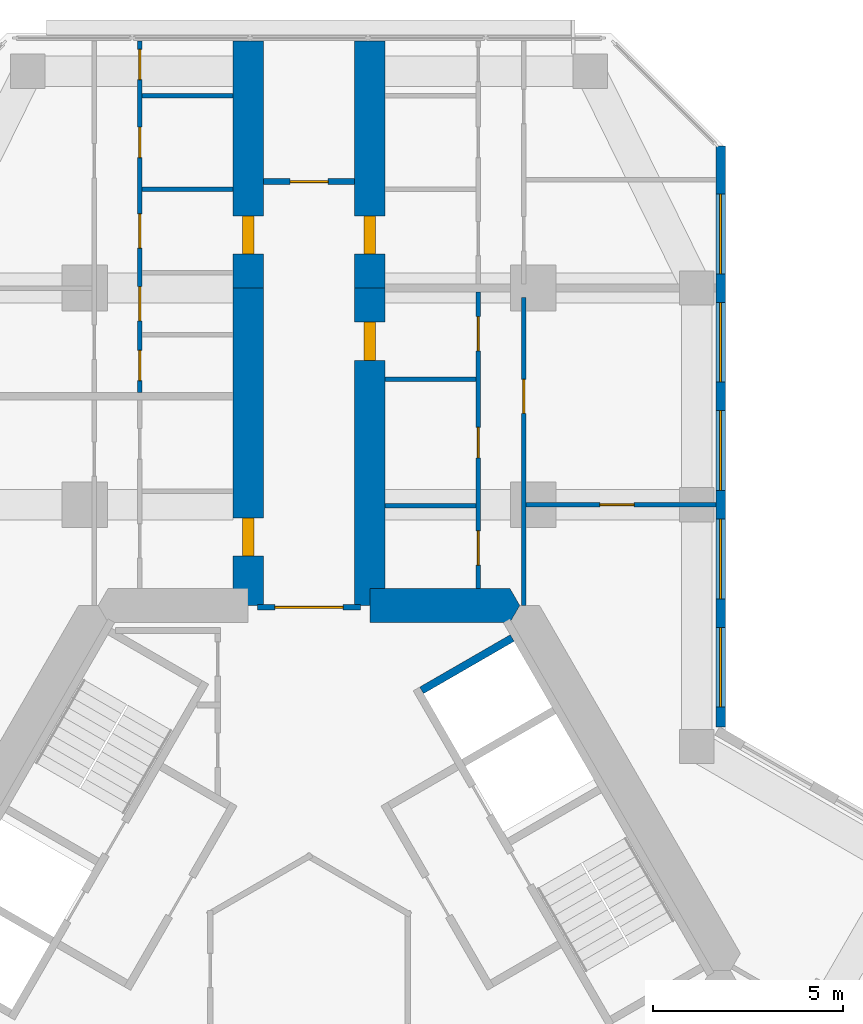
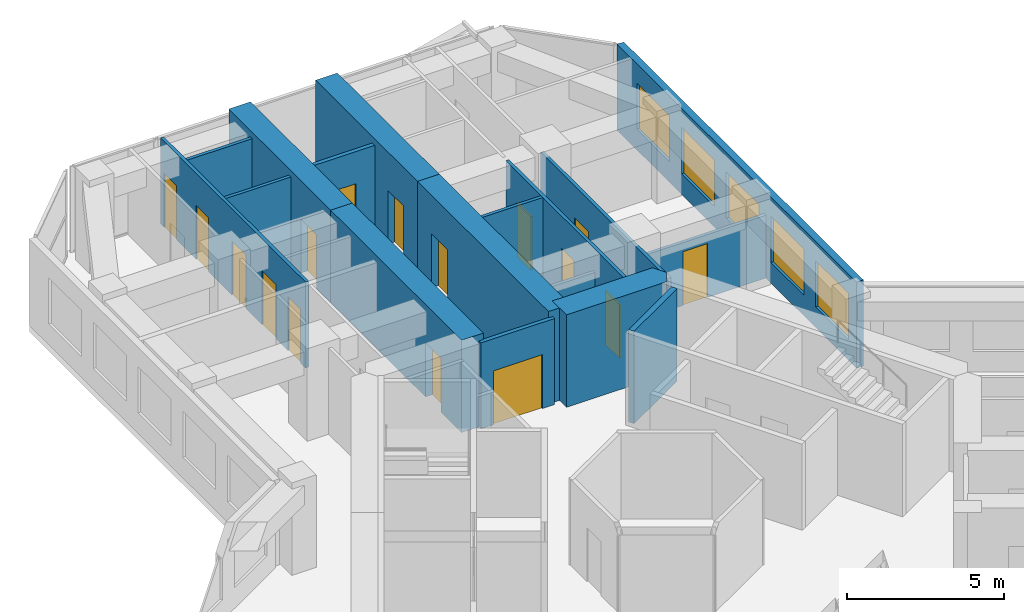
# One storey, part 17 of 19: 17 walls, 16 doors, 5 windows, 21 openings.
"""IFC4 building model written with IfcOpenShell, lengths in metres."""

from ifc_helpers import new_model, si_unit, direction, frame, frame_2d, origin, place, context, subcontext, project, spatial, polyline, rectangle, outline, extrude, material, layer, layer_set, type_object, element, fill, save


model = new_model("IFC4")

# Units and contexts
model_context = context("Model", 3, precision=1e-05, world=origin(), true_north=direction((0.0, 1.0)))
body_context = subcontext(model_context, "Body", "Model", "MODEL_VIEW")
ifc_project = project(units=[si_unit("LENGTHUNIT", "METRE"), si_unit("AREAUNIT", "SQUARE_METRE"), si_unit("VOLUMEUNIT", "CUBIC_METRE"), si_unit("PLANEANGLEUNIT", "RADIAN"), si_unit("MASSUNIT", "GRAM", prefix="KILO")], contexts=[model_context])

# Site, building, storey
site_placement = place(None, origin())
site = spatial("IfcSite", under=ifc_project, at=site_placement, CompositionType="ELEMENT")
building_placement = place(site_placement, origin())
building = spatial("IfcBuilding", under=site, at=building_placement, Name="Kosmar Iwan School Tower", CompositionType="ELEMENT")
storey_placement = place(building_placement, frame((0.0, 0.0, 134.60009765625)))
storey = spatial("IfcBuildingStorey", under=building, at=storey_placement, Name="L33", CompositionType="ELEMENT", Elevation=134.60009765625)

# Wall
ifc_material_1 = material(Name="Concrete C50/60", Category="concrete")
ifc_layer_1 = layer(ifc_material_1, 0.89990234375)
ifc_layer_set_1 = layer_set([ifc_layer_1], Name="Core wall 900")
wall_type_1 = type_object("IfcWallType", Name="Core wall 900", PredefinedType="SHEAR", material=ifc_layer_set_1)
wall_1_placement = place(storey_placement, origin())
element("IfcWall", 1, at=wall_1_placement, inside=storey, type_object=wall_type_1, Name="Core wall F090a", PredefinedType="SHEAR", context=body_context, shape_type="SweptSolid", body=[
    extrude(outline(polyline([(1.60009765625, 9.14990234375), (5.28271484375, 9.14990234375), (5.54248046875, 9.60009765625), (5.28271484375, 10.050048828125), (1.60009765625, 10.050048828125), (1.60009765625, 9.14990234375)])), origin(), (0.0, 0.0, 1.0), 3.599853515625),
])

# Wall, opening, door
ifc_material_2 = material(Name="Concrete C50/60", Category="concrete")
ifc_layer_2 = layer(ifc_material_2, 0.800048828125)
ifc_layer_set_2 = layer_set([ifc_layer_2], Name="Corridor buttress wall 800")
wall_type_2 = type_object("IfcWallType", Name="Corridor buttress wall 800", PredefinedType="SHEAR", material=ifc_layer_set_2)
wall_2_placement = place(storey_placement, frame((-1.60009765625, 9.60009765625, 0.0), z_axis=(0.0, 0.0, 1.0), x_axis=(0.0, 1.0, 0.0)))
wall_2 = element("IfcWall", 2, at=wall_2_placement, inside=storey, type_object=wall_type_2, Name="Corridor wall AL", PredefinedType="SHEAR", context=body_context, shape_type="SweptSolid", body=[
    extrude(rectangle(XDim=8.349853515625, YDim=0.800048828125, at=frame_2d((4.1748046875, 0.0))), origin(), (0.0, 0.0, 1.0), 3.599853515625),
])
opening_1_placement = place(wall_2_placement, frame((1.300048828125, 0.0, 0.0)))
opening_1 = element("IfcOpeningElement", 3, at=opening_1_placement, cuts=wall_2, Name="Opening D1", PredefinedType="OPENING", context=body_context, shape_type="SweptSolid", body=[
    extrude(rectangle(XDim=1.0, YDim=2.10009765625, at=frame_2d((0.5, 1.050048828125))), frame((0.0, 0.412109375, 0.0), z_axis=(0.0, -1.0, 0.0), x_axis=(1.0, 0.0, 0.0)), (0.0, 0.0, 1.0), 0.823974609375),
])
ifc_material_3 = material(Name="Timber fire door in steel frame", Category="steel")
door_type_1 = type_object("IfcDoorType", Name="Flat entrance door 1000x2100", OperationType="SINGLE_SWING_LEFT", PredefinedType="DOOR", material=ifc_material_3)
door_1_placement = place(opening_1_placement, origin())
door_1 = element("IfcDoor", 4, at=door_1_placement, inside=storey, type_object=door_type_1, Name="Flat L33-AL1 entrance door", OperationType="SINGLE_SWING_RIGHT", OverallHeight=2.10009765625, OverallWidth=1.0, PredefinedType="DOOR", context=body_context, shape_type="SweptSolid", body=[
    extrude(rectangle(XDim=1.0, YDim=2.10009765625, at=frame_2d((0.5, 1.050048828125))), frame((0.0, 0.14990234375, 0.0), z_axis=(0.0, -1.0, 0.0), x_axis=(1.0, 0.0, 0.0)), (0.0, 0.0, 1.0), 0.300048828125),
])
fill(opening_1, door_1)

wall_3_placement = place(storey_placement, frame((-1.60009765625, 17.949951171875, 0.0), z_axis=(0.0, 0.0, 1.0), x_axis=(0.0, 1.0, 0.0)))
wall_3 = element("IfcWall", 5, at=wall_3_placement, inside=storey, type_object=wall_type_2, Name="Corridor wall AL bay 2", PredefinedType="SHEAR", context=body_context, shape_type="SweptSolid", body=[
    extrude(rectangle(XDim=6.4951171875, YDim=0.800048828125, at=frame_2d((3.24755859375, 0.0))), origin(), (0.0, 0.0, 1.0), 3.599853515625),
])
opening_2_placement = place(wall_3_placement, frame((0.89990234375, 0.0, 0.0)))
opening_2 = element("IfcOpeningElement", 6, at=opening_2_placement, cuts=wall_3, Name="Opening D1", PredefinedType="OPENING", context=body_context, shape_type="SweptSolid", body=[
    extrude(rectangle(XDim=1.0, YDim=2.10009765625, at=frame_2d((0.5, 1.050048828125))), frame((0.0, 0.412109375, 0.0), z_axis=(0.0, -1.0, 0.0), x_axis=(1.0, 0.0, 0.0)), (0.0, 0.0, 1.0), 0.823974609375),
])
door_2_placement = place(opening_2_placement, origin())
door_2 = element("IfcDoor", 7, at=door_2_placement, inside=storey, type_object=door_type_1, Name="Flat L33-AL2 entrance door", OperationType="SINGLE_SWING_LEFT", OverallHeight=2.10009765625, OverallWidth=1.0, PredefinedType="DOOR", context=body_context, shape_type="SweptSolid", body=[
    extrude(rectangle(XDim=1.0, YDim=2.10009765625, at=frame_2d((0.5, 1.050048828125))), frame((0.0, 0.14990234375, 0.0), z_axis=(0.0, -1.0, 0.0), x_axis=(1.0, 0.0, 0.0)), (0.0, 0.0, 1.0), 0.300048828125),
])
fill(opening_2, door_2)

wall_4_placement = place(storey_placement, frame((1.60009765625, 9.60009765625, 0.0), z_axis=(0.0, 0.0, 1.0), x_axis=(0.0, 1.0, 0.0)))
wall_4 = element("IfcWall", 8, at=wall_4_placement, inside=storey, type_object=wall_type_2, Name="Corridor wall AR", PredefinedType="SHEAR", context=body_context, shape_type="SweptSolid", body=[
    extrude(rectangle(XDim=8.349853515625, YDim=0.800048828125, at=frame_2d((4.1748046875, 0.0))), origin(), (0.0, 0.0, 1.0), 3.599853515625),
])
opening_3_placement = place(wall_4_placement, frame((6.449951171875, 0.0, 0.0)))
opening_3 = element("IfcOpeningElement", 9, at=opening_3_placement, cuts=wall_4, Name="Opening D1", PredefinedType="OPENING", context=body_context, shape_type="SweptSolid", body=[
    extrude(rectangle(XDim=1.0, YDim=2.10009765625, at=frame_2d((0.5, 1.050048828125))), frame((0.0, 0.412109375, 0.0), z_axis=(0.0, -1.0, 0.0), x_axis=(1.0, 0.0, 0.0)), (0.0, 0.0, 1.0), 0.823974609375),
])
door_3_placement = place(opening_3_placement, origin())
door_3 = element("IfcDoor", 10, at=door_3_placement, inside=storey, type_object=door_type_1, Name="Flat L33-AR1 entrance door", OperationType="SINGLE_SWING_RIGHT", OverallHeight=2.10009765625, OverallWidth=1.0, PredefinedType="DOOR", context=body_context, shape_type="SweptSolid", body=[
    extrude(rectangle(XDim=1.0, YDim=2.10009765625, at=frame_2d((0.5, 1.050048828125))), frame((0.0, 0.14990234375, 0.0), z_axis=(0.0, -1.0, 0.0), x_axis=(1.0, 0.0, 0.0)), (0.0, 0.0, 1.0), 0.300048828125),
])
fill(opening_3, door_3)

wall_5_placement = place(storey_placement, frame((1.60009765625, 17.949951171875, 0.0), z_axis=(0.0, 0.0, 1.0), x_axis=(0.0, 1.0, 0.0)))
wall_5 = element("IfcWall", 11, at=wall_5_placement, inside=storey, type_object=wall_type_2, Name="Corridor wall AR bay 2", PredefinedType="SHEAR", context=body_context, shape_type="SweptSolid", body=[
    extrude(rectangle(XDim=6.4951171875, YDim=0.800048828125, at=frame_2d((3.24755859375, 0.0))), origin(), (0.0, 0.0, 1.0), 3.599853515625),
])
opening_4_placement = place(wall_5_placement, frame((0.89990234375, 0.0, 0.0)))
opening_4 = element("IfcOpeningElement", 12, at=opening_4_placement, cuts=wall_5, Name="Opening D1", PredefinedType="OPENING", context=body_context, shape_type="SweptSolid", body=[
    extrude(rectangle(XDim=1.0, YDim=2.10009765625, at=frame_2d((0.5, 1.050048828125))), frame((0.0, 0.412109375, 0.0), z_axis=(0.0, -1.0, 0.0), x_axis=(1.0, 0.0, 0.0)), (0.0, 0.0, 1.0), 0.823974609375),
])
door_4_placement = place(opening_4_placement, origin())
door_4 = element("IfcDoor", 13, at=door_4_placement, inside=storey, type_object=door_type_1, Name="Flat L33-AR2 entrance door", OperationType="SINGLE_SWING_RIGHT", OverallHeight=2.10009765625, OverallWidth=1.0, PredefinedType="DOOR", context=body_context, shape_type="SweptSolid", body=[
    extrude(rectangle(XDim=1.0, YDim=2.10009765625, at=frame_2d((0.5, 1.050048828125))), frame((0.0, 0.14990234375, 0.0), z_axis=(0.0, -1.0, 0.0), x_axis=(1.0, 0.0, 0.0)), (0.0, 0.0, 1.0), 0.300048828125),
])
fill(opening_4, door_4)

ifc_material_4 = material(Name="Gypsum board on steel studs, fire-rated", Category="steel")
ifc_layer_3 = layer(ifc_material_4, 0.14990234375)
ifc_layer_set_3 = layer_set([ifc_layer_3], Name="Corridor end wall 150")
wall_type_3 = type_object("IfcWallType", Name="Corridor end wall 150", PredefinedType="PARTITIONING", material=ifc_layer_set_3)
wall_6_placement = place(storey_placement, frame((1.199951171875, 20.75, 0.0), z_axis=(0.0, 0.0, 1.0), x_axis=(-1.0, 0.0, 0.0)))
wall_6 = element("IfcWall", 14, at=wall_6_placement, inside=storey, type_object=wall_type_3, Name="Partition L33-A-CE", PredefinedType="PARTITIONING", context=body_context, shape_type="SweptSolid", body=[
    extrude(rectangle(XDim=2.39990234375, YDim=0.14990234375, at=frame_2d((1.199951171875, 0.0))), origin(), (0.0, 0.0, 1.0), 3.349853515625),
])
opening_5_placement = place(wall_6_placement, frame((0.699951171875, 0.0, 0.0)))
opening_5 = element("IfcOpeningElement", 15, at=opening_5_placement, cuts=wall_6, Name="Opening D13", PredefinedType="OPENING", context=body_context, shape_type="SweptSolid", body=[
    extrude(rectangle(XDim=1.0, YDim=2.10009765625, at=frame_2d((0.5, 1.050048828125))), frame((0.0, 0.0869140625, 0.0), z_axis=(0.0, -1.0, 0.0), x_axis=(1.0, 0.0, 0.0)), (0.0, 0.0, 1.0), 0.173828125),
])
ifc_material_5 = material(Name="Timber fire door with vision panel", Category="wood")
door_type_2 = type_object("IfcDoorType", Name="Corridor end door 1000x2100", OperationType="SINGLE_SWING_LEFT", PredefinedType="DOOR", material=ifc_material_5)
door_5_placement = place(opening_5_placement, origin())
door_5 = element("IfcDoor", 16, at=door_5_placement, inside=storey, type_object=door_type_2, Name="Prayer room door L33-A", OperationType="SINGLE_SWING_RIGHT", OverallHeight=2.10009765625, OverallWidth=1.0, PredefinedType="DOOR", context=body_context, shape_type="SweptSolid", body=[
    extrude(rectangle(XDim=1.0, YDim=2.10009765625, at=frame_2d((0.5, 1.050048828125))), frame((0.0, 0.02490234375, 0.0), z_axis=(0.0, -1.0, 0.0), x_axis=(1.0, 0.0, 0.0)), (0.0, 0.0, 1.0), 0.050048828125),
])
fill(opening_5, door_5)

ifc_material_6 = material(Name="Steel framed glazed screen", Category="steel")
ifc_layer_4 = layer(ifc_material_6, 0.14990234375)
ifc_layer_set_4 = layer_set([ifc_layer_4], Name="Corridor screen wall 150")
wall_type_4 = type_object("IfcWallType", Name="Corridor screen wall 150", PredefinedType="PARTITIONING", material=ifc_layer_set_4)
wall_7_placement = place(storey_placement, frame((1.35009765625, 9.550048828125, 0.0), z_axis=(0.0, 0.0, 1.0), x_axis=(-1.0, 0.0, 0.0)))
wall_7 = element("IfcWall", 17, at=wall_7_placement, inside=storey, type_object=wall_type_4, Name="Corridor screen A L33", PredefinedType="PARTITIONING", context=body_context, shape_type="SweptSolid", body=[
    extrude(rectangle(XDim=2.7001953125, YDim=0.14990234375, at=frame_2d((1.35009765625, 0.0))), origin(), (0.0, 0.0, 1.0), 3.349853515625),
])
opening_6_placement = place(wall_7_placement, frame((0.449951171875, 0.0, 0.0)))
opening_6 = element("IfcOpeningElement", 18, at=opening_6_placement, cuts=wall_7, Name="Opening D9", PredefinedType="OPENING", context=body_context, shape_type="SweptSolid", body=[
    extrude(rectangle(XDim=1.800048828125, YDim=2.10009765625, at=frame_2d((0.89990234375, 1.050048828125))), frame((0.0, 0.0869140625, 0.0), z_axis=(0.0, -1.0, 0.0), x_axis=(1.0, 0.0, 0.0)), (0.0, 0.0, 1.0), 0.173828125),
])
ifc_material_7 = material(Name="Steel framed glazed smoke door", Category="steel")
door_type_3 = type_object("IfcDoorType", Name="Corridor smoke door pair 1800x2100", OperationType="DOUBLE_DOOR_DOUBLE_SWING", PredefinedType="DOOR", material=ifc_material_7)
door_6_placement = place(opening_6_placement, origin())
door_6 = element("IfcDoor", 19, at=door_6_placement, inside=storey, type_object=door_type_3, Name="Corridor doors A L33", OperationType="DOUBLE_DOOR_DOUBLE_SWING", OverallHeight=2.10009765625, OverallWidth=1.800048828125, PredefinedType="DOOR", context=body_context, shape_type="SweptSolid", body=[
    extrude(rectangle(XDim=1.800048828125, YDim=2.10009765625, at=frame_2d((0.89990234375, 1.050048828125))), frame((0.0, 0.02490234375, 0.0), z_axis=(0.0, -1.0, 0.0), x_axis=(1.0, 0.0, 0.0)), (0.0, 0.0, 1.0), 0.050048828125),
])
fill(opening_6, door_6)

# Wall, openings, doors
ifc_material_8 = material(Name="Gypsum board on steel studs", Category="steel")
ifc_layer_5 = layer(ifc_material_8, 0.1201171875)
ifc_layer_set_5 = layer_set([ifc_layer_5], Name="Dwelling partition 120")
wall_type_5 = type_object("IfcWallType", Name="Dwelling partition 120", PredefinedType="PARTITIONING", material=ifc_layer_set_5)
wall_8_placement = place(storey_placement, frame((-4.449951171875, 15.199951171875, 0.0), z_axis=(0.0, 0.0, 1.0), x_axis=(0.0, 1.0, 0.0)))
wall_8 = element("IfcWall", 20, at=wall_8_placement, inside=storey, type_object=wall_type_5, Name="Partition L33-AL2-W1", PredefinedType="PARTITIONING", context=body_context, shape_type="SweptSolid", body=[
    extrude(rectangle(XDim=9.2451171875, YDim=0.1201171875, at=frame_2d((4.62255859375, 0.0))), origin(), (0.0, 0.0, 1.0), 3.349853515625),
])
opening_7_placement = place(wall_8_placement, frame((0.3125, 0.0, 0.0)))
opening_7 = element("IfcOpeningElement", 21, at=opening_7_placement, cuts=wall_8, Name="Opening D3", PredefinedType="OPENING", context=body_context, shape_type="SweptSolid", body=[
    extrude(rectangle(XDim=0.800048828125, YDim=2.10009765625, at=frame_2d((0.39990234375, 1.050048828125))), frame((0.0, 0.072021484375, 0.0), z_axis=(0.0, -1.0, 0.0), x_axis=(1.0, 0.0, 0.0)), (0.0, 0.0, 1.0), 0.14404296875),
])
opening_8_placement = place(wall_8_placement, frame((1.887451171875, 0.0, 0.0)))
opening_8 = element("IfcOpeningElement", 22, at=opening_8_placement, cuts=wall_8, Name="Opening D2", PredefinedType="OPENING", context=body_context, shape_type="SweptSolid", body=[
    extrude(rectangle(XDim=0.89990234375, YDim=2.10009765625, at=frame_2d((0.449951171875, 1.050048828125))), frame((0.0, 0.072021484375, 0.0), z_axis=(0.0, -1.0, 0.0), x_axis=(1.0, 0.0, 0.0)), (0.0, 0.0, 1.0), 0.14404296875),
])
opening_9_placement = place(wall_8_placement, frame((3.800048828125, 0.0, 0.0)))
opening_9 = element("IfcOpeningElement", 23, at=opening_9_placement, cuts=wall_8, Name="Opening D2", PredefinedType="OPENING", context=body_context, shape_type="SweptSolid", body=[
    extrude(rectangle(XDim=0.89990234375, YDim=2.10009765625, at=frame_2d((0.449951171875, 1.050048828125))), frame((0.0, 0.072021484375, 0.0), z_axis=(0.0, -1.0, 0.0), x_axis=(1.0, 0.0, 0.0)), (0.0, 0.0, 1.0), 0.14404296875),
])
opening_10_placement = place(wall_8_placement, frame((6.179931640625, 0.0, 0.0)))
opening_10 = element("IfcOpeningElement", 24, at=opening_10_placement, cuts=wall_8, Name="Opening D3", PredefinedType="OPENING", context=body_context, shape_type="SweptSolid", body=[
    extrude(rectangle(XDim=0.800048828125, YDim=2.10009765625, at=frame_2d((0.39990234375, 1.050048828125))), frame((0.0, 0.072021484375, 0.0), z_axis=(0.0, -1.0, 0.0), x_axis=(1.0, 0.0, 0.0)), (0.0, 0.0, 1.0), 0.14404296875),
])
opening_11_placement = place(wall_8_placement, frame((8.22998046875, 0.0, 0.0)))
opening_11 = element("IfcOpeningElement", 25, at=opening_11_placement, cuts=wall_8, Name="Opening D3", PredefinedType="OPENING", context=body_context, shape_type="SweptSolid", body=[
    extrude(rectangle(XDim=0.800048828125, YDim=2.10009765625, at=frame_2d((0.39990234375, 1.050048828125))), frame((0.0, 0.072021484375, 0.0), z_axis=(0.0, -1.0, 0.0), x_axis=(1.0, 0.0, 0.0)), (0.0, 0.0, 1.0), 0.14404296875),
])
ifc_material_9 = material(Name="Timber door in timber frame", Category="wood")
door_type_4 = type_object("IfcDoorType", Name="Internal door 900x2100", OperationType="SINGLE_SWING_LEFT", PredefinedType="DOOR", material=ifc_material_9)
door_7_placement = place(opening_8_placement, frame((0.89990234375, 0.0, 0.0), z_axis=(0.0, 0.0, 1.0), x_axis=(-1.0, 0.0, 0.0)))
door_7 = element("IfcDoor", 26, at=door_7_placement, inside=storey, type_object=door_type_4, Name="Pantry door L33-AL2-S2", OperationType="SINGLE_SWING_RIGHT", OverallHeight=2.10009765625, OverallWidth=0.89990234375, PredefinedType="DOOR", context=body_context, shape_type="SweptSolid", body=[
    extrude(rectangle(XDim=0.89990234375, YDim=2.10009765625, at=frame_2d((0.449951171875, 1.050048828125))), frame((0.0, 0.02490234375, 0.0), z_axis=(0.0, -1.0, 0.0), x_axis=(1.0, 0.0, 0.0)), (0.0, 0.0, 1.0), 0.050048828125),
])
fill(opening_8, door_7)
door_8_placement = place(opening_9_placement, origin())
door_8 = element("IfcDoor", 27, at=door_8_placement, inside=storey, type_object=door_type_4, Name="Entrance hall door L33-AL2-S3", OperationType="SINGLE_SWING_LEFT", OverallHeight=2.10009765625, OverallWidth=0.89990234375, PredefinedType="DOOR", context=body_context, shape_type="SweptSolid", body=[
    extrude(rectangle(XDim=0.89990234375, YDim=2.10009765625, at=frame_2d((0.449951171875, 1.050048828125))), frame((0.0, 0.02490234375, 0.0), z_axis=(0.0, -1.0, 0.0), x_axis=(1.0, 0.0, 0.0)), (0.0, 0.0, 1.0), 0.050048828125),
])
fill(opening_9, door_8)
ifc_material_10 = material(Name="Timber door in timber frame", Category="wood")
door_type_5 = type_object("IfcDoorType", Name="Sanitary room door 800x2100", OperationType="SINGLE_SWING_LEFT", PredefinedType="DOOR", material=ifc_material_10)
door_9_placement = place(opening_7_placement, origin())
door_9 = element("IfcDoor", 28, at=door_9_placement, inside=storey, type_object=door_type_5, Name="Store door L33-AL2-S1", OperationType="SINGLE_SWING_LEFT", OverallHeight=2.10009765625, OverallWidth=0.800048828125, PredefinedType="DOOR", context=body_context, shape_type="SweptSolid", body=[
    extrude(rectangle(XDim=0.800048828125, YDim=2.10009765625, at=frame_2d((0.39990234375, 1.050048828125))), frame((0.0, 0.02490234375, 0.0), z_axis=(0.0, -1.0, 0.0), x_axis=(1.0, 0.0, 0.0)), (0.0, 0.0, 1.0), 0.050048828125),
])
fill(opening_7, door_9)
door_10_placement = place(opening_10_placement, origin())
door_10 = element("IfcDoor", 29, at=door_10_placement, inside=storey, type_object=door_type_5, Name="Bathroom door L33-AL2-S4", OperationType="SINGLE_SWING_RIGHT", OverallHeight=2.10009765625, OverallWidth=0.800048828125, PredefinedType="DOOR", context=body_context, shape_type="SweptSolid", body=[
    extrude(rectangle(XDim=0.800048828125, YDim=2.10009765625, at=frame_2d((0.39990234375, 1.050048828125))), frame((0.0, 0.02490234375, 0.0), z_axis=(0.0, -1.0, 0.0), x_axis=(1.0, 0.0, 0.0)), (0.0, 0.0, 1.0), 0.050048828125),
])
fill(opening_10, door_10)
door_11_placement = place(opening_11_placement, origin())
door_11 = element("IfcDoor", 30, at=door_11_placement, inside=storey, type_object=door_type_5, Name="WC door L33-AL2-S5", OperationType="SINGLE_SWING_RIGHT", OverallHeight=2.10009765625, OverallWidth=0.800048828125, PredefinedType="DOOR", context=body_context, shape_type="SweptSolid", body=[
    extrude(rectangle(XDim=0.800048828125, YDim=2.10009765625, at=frame_2d((0.39990234375, 1.050048828125))), frame((0.0, 0.02490234375, 0.0), z_axis=(0.0, -1.0, 0.0), x_axis=(1.0, 0.0, 0.0)), (0.0, 0.0, 1.0), 0.050048828125),
])
fill(opening_11, door_11)

# Walls
for number, where, z_axis, x_axis, name in (
    (31, (-2.0, 20.550048828125, 0.0), (0.0, 0.0, 1.0), (-1.0, 0.0, 0.0), "Partition L33-AL2-Y3"),
    (32, (-2.0, 23.010009765625, 0.0), (0.0, 0.0, 1.0), (-1.0, 0.0, 0.0), "Partition L33-AL2-Y4"),
):
    element("IfcWall", number, at=place(storey_placement, frame(where, z_axis=z_axis, x_axis=x_axis)), inside=storey, type_object=wall_type_5, Name=name, PredefinedType="PARTITIONING", context=body_context, shape_type="SweptSolid", body=[
        extrude(rectangle(XDim=2.389892578125, YDim=0.1201171875, at=frame_2d((1.19482421875, 0.0))), origin(), (0.0, 0.0, 1.0), 3.349853515625),
    ])

# Wall, openings, doors
wall_9_placement = place(storey_placement, frame((4.449951171875, 10.050048828125, 0.0), z_axis=(0.0, 0.0, 1.0), x_axis=(0.0, 1.0, 0.0)))
wall_9 = element("IfcWall", 33, at=wall_9_placement, inside=storey, type_object=wall_type_5, Name="Partition L33-AR1-W1", PredefinedType="PARTITIONING", context=body_context, shape_type="SweptSolid", body=[
    extrude(rectangle(XDim=7.800048828125, YDim=0.1201171875, at=frame_2d((3.89990234375, 0.0))), origin(), (0.0, 0.0, 1.0), 3.349853515625),
])
opening_12_placement = place(wall_9_placement, frame((0.610107421875, 0.0, 0.0)))
opening_12 = element("IfcOpeningElement", 34, at=opening_12_placement, cuts=wall_9, Name="Opening D2", PredefinedType="OPENING", context=body_context, shape_type="SweptSolid", body=[
    extrude(rectangle(XDim=0.89990234375, YDim=2.10009765625, at=frame_2d((0.449951171875, 1.050048828125))), frame((0.0, 0.072021484375, 0.0), z_axis=(0.0, -1.0, 0.0), x_axis=(1.0, 0.0, 0.0)), (0.0, 0.0, 1.0), 0.14404296875),
])
opening_13_placement = place(wall_9_placement, frame((3.43505859375, 0.0, 0.0)))
opening_13 = element("IfcOpeningElement", 35, at=opening_13_placement, cuts=wall_9, Name="Opening D3", PredefinedType="OPENING", context=body_context, shape_type="SweptSolid", body=[
    extrude(rectangle(XDim=0.800048828125, YDim=2.10009765625, at=frame_2d((0.39990234375, 1.050048828125))), frame((0.0, 0.072021484375, 0.0), z_axis=(0.0, -1.0, 0.0), x_axis=(1.0, 0.0, 0.0)), (0.0, 0.0, 1.0), 0.14404296875),
])
opening_14_placement = place(wall_9_placement, frame((6.25, 0.0, 0.0)))
opening_14 = element("IfcOpeningElement", 36, at=opening_14_placement, cuts=wall_9, Name="Opening D2", PredefinedType="OPENING", context=body_context, shape_type="SweptSolid", body=[
    extrude(rectangle(XDim=0.89990234375, YDim=2.10009765625, at=frame_2d((0.449951171875, 1.050048828125))), frame((0.0, 0.072021484375, 0.0), z_axis=(0.0, -1.0, 0.0), x_axis=(1.0, 0.0, 0.0)), (0.0, 0.0, 1.0), 0.14404296875),
])
door_12_placement = place(opening_12_placement, origin())
door_12 = element("IfcDoor", 37, at=door_12_placement, inside=storey, type_object=door_type_4, Name="Pantry door L33-AR1-S1", OperationType="SINGLE_SWING_LEFT", OverallHeight=2.10009765625, OverallWidth=0.89990234375, PredefinedType="DOOR", context=body_context, shape_type="SweptSolid", body=[
    extrude(rectangle(XDim=0.89990234375, YDim=2.10009765625, at=frame_2d((0.449951171875, 1.050048828125))), frame((0.0, 0.02490234375, 0.0), z_axis=(0.0, -1.0, 0.0), x_axis=(1.0, 0.0, 0.0)), (0.0, 0.0, 1.0), 0.050048828125),
])
fill(opening_12, door_12)
door_13_placement = place(opening_14_placement, origin())
door_13 = element("IfcDoor", 38, at=door_13_placement, inside=storey, type_object=door_type_4, Name="Entrance hall door L33-AR1-S3", OperationType="SINGLE_SWING_RIGHT", OverallHeight=2.10009765625, OverallWidth=0.89990234375, PredefinedType="DOOR", context=body_context, shape_type="SweptSolid", body=[
    extrude(rectangle(XDim=0.89990234375, YDim=2.10009765625, at=frame_2d((0.449951171875, 1.050048828125))), frame((0.0, 0.02490234375, 0.0), z_axis=(0.0, -1.0, 0.0), x_axis=(1.0, 0.0, 0.0)), (0.0, 0.0, 1.0), 0.050048828125),
])
fill(opening_14, door_13)
door_14_placement = place(opening_13_placement, origin())
door_14 = element("IfcDoor", 39, at=door_14_placement, inside=storey, type_object=door_type_5, Name="Bathroom door L33-AR1-S2", OperationType="SINGLE_SWING_RIGHT", OverallHeight=2.10009765625, OverallWidth=0.800048828125, PredefinedType="DOOR", context=body_context, shape_type="SweptSolid", body=[
    extrude(rectangle(XDim=0.800048828125, YDim=2.10009765625, at=frame_2d((0.39990234375, 1.050048828125))), frame((0.0, 0.02490234375, 0.0), z_axis=(0.0, -1.0, 0.0), x_axis=(1.0, 0.0, 0.0)), (0.0, 0.0, 1.0), 0.050048828125),
])
fill(opening_13, door_14)

# Wall, opening, door
wall_10_placement = place(storey_placement, frame((5.64990234375, 9.60009765625, 0.0), z_axis=(0.0, 0.0, 1.0), x_axis=(0.0, 1.0, 0.0)))
wall_10 = element("IfcWall", 40, at=wall_10_placement, inside=storey, type_object=wall_type_5, Name="Partition L33-AR1-W2", PredefinedType="PARTITIONING", context=body_context, shape_type="SweptSolid", body=[
    extrude(rectangle(XDim=8.099853515625, YDim=0.1201171875, at=frame_2d((4.0498046875, 0.0))), origin(), (0.0, 0.0, 1.0), 3.349853515625),
])
opening_15_placement = place(wall_10_placement, frame((5.050048828125, 0.0, 0.0)))
opening_15 = element("IfcOpeningElement", 41, at=opening_15_placement, cuts=wall_10, Name="Opening D2", PredefinedType="OPENING", context=body_context, shape_type="SweptSolid", body=[
    extrude(rectangle(XDim=0.89990234375, YDim=2.10009765625, at=frame_2d((0.449951171875, 1.050048828125))), frame((0.0, 0.072021484375, 0.0), z_axis=(0.0, -1.0, 0.0), x_axis=(1.0, 0.0, 0.0)), (0.0, 0.0, 1.0), 0.14404296875),
])
door_15_placement = place(opening_15_placement, origin())
door_15 = element("IfcDoor", 42, at=door_15_placement, inside=storey, type_object=door_type_4, Name="Studio living room door L33-AR1-F2", OperationType="SINGLE_SWING_RIGHT", OverallHeight=2.10009765625, OverallWidth=0.89990234375, PredefinedType="DOOR", context=body_context, shape_type="SweptSolid", body=[
    extrude(rectangle(XDim=0.89990234375, YDim=2.10009765625, at=frame_2d((0.449951171875, 1.050048828125))), frame((0.0, 0.02490234375, 0.0), z_axis=(0.0, -1.0, 0.0), x_axis=(1.0, 0.0, 0.0)), (0.0, 0.0, 1.0), 0.050048828125),
])
fill(opening_15, door_15)

wall_11_placement = place(storey_placement, frame((5.7099609375, 12.25, 0.0), z_axis=(0.0, 0.0, 1.0), x_axis=(1.0, 0.0, 0.0)))
wall_11 = element("IfcWall", 43, at=wall_11_placement, inside=storey, type_object=wall_type_5, Name="Partition L33-AR1-X1", PredefinedType="PARTITIONING", context=body_context, shape_type="SweptSolid", body=[
    extrude(rectangle(XDim=4.989990234375, YDim=0.1201171875, at=frame_2d((2.4951171875, 0.0))), origin(), (0.0, 0.0, 1.0), 2.449951171875),
])
opening_16_placement = place(wall_11_placement, frame((1.93994140625, 0.0, 0.0)))
opening_16 = element("IfcOpeningElement", 44, at=opening_16_placement, cuts=wall_11, Name="Opening D2", PredefinedType="OPENING", context=body_context, shape_type="SweptSolid", body=[
    extrude(rectangle(XDim=0.89990234375, YDim=2.10009765625, at=frame_2d((0.449951171875, 1.050048828125))), frame((0.0, 0.072021484375, 0.0), z_axis=(0.0, -1.0, 0.0), x_axis=(1.0, 0.0, 0.0)), (0.0, 0.0, 1.0), 0.14404296875),
])
door_16_placement = place(opening_16_placement, origin())
door_16 = element("IfcDoor", 45, at=door_16_placement, inside=storey, type_object=door_type_4, Name="Kitchen and dining room door L33-AR1-F1", OperationType="SINGLE_SWING_LEFT", OverallHeight=2.10009765625, OverallWidth=0.89990234375, PredefinedType="DOOR", context=body_context, shape_type="SweptSolid", body=[
    extrude(rectangle(XDim=0.89990234375, YDim=2.10009765625, at=frame_2d((0.449951171875, 1.050048828125))), frame((0.0, 0.02490234375, 0.0), z_axis=(0.0, -1.0, 0.0), x_axis=(1.0, 0.0, 0.0)), (0.0, 0.0, 1.0), 0.050048828125),
])
fill(opening_16, door_16)

# Walls
wall_12_placement = place(storey_placement, frame((2.0, 12.219970703125, 0.0), z_axis=(0.0, 0.0, 1.0), x_axis=(1.0, 0.0, 0.0)))
element("IfcWall", 46, at=wall_12_placement, inside=storey, type_object=wall_type_5, Name="Partition L33-AR1-Y1", PredefinedType="PARTITIONING", context=body_context, shape_type="SweptSolid", body=[
    extrude(rectangle(XDim=2.389892578125, YDim=0.1201171875, at=frame_2d((1.19482421875, 0.0))), origin(), (0.0, 0.0, 1.0), 2.449951171875),
])
wall_13_placement = place(storey_placement, frame((2.0, 15.550048828125, 0.0), z_axis=(0.0, 0.0, 1.0), x_axis=(1.0, 0.0, 0.0)))
element("IfcWall", 47, at=wall_13_placement, inside=storey, type_object=wall_type_5, Name="Partition L33-AR1-Y2", PredefinedType="PARTITIONING", context=body_context, shape_type="SweptSolid", body=[
    extrude(rectangle(XDim=2.389892578125, YDim=0.1201171875, at=frame_2d((1.19482421875, 0.0))), origin(), (0.0, 0.0, 1.0), 3.349853515625),
])

# Wall, openings, windows
ifc_material_11 = material(Name="Black aluminium rainscreen on insulated framing", Category="aluminium")
ifc_layer_6 = layer(ifc_material_11, 0.25)
ifc_layer_set_6 = layer_set([ifc_layer_6], Name="External wall rainscreen 250")
wall_type_6 = type_object("IfcWallType", Name="External wall rainscreen 250", PredefinedType="SOLIDWALL", material=ifc_layer_set_6)
wall_14_placement = place(storey_placement, frame((10.824951171875, 6.408935546875, 0.0), z_axis=(0.0, 0.0, 1.0), x_axis=(0.0, 1.0, 0.0)))
wall_14 = element("IfcWall", 48, at=wall_14_placement, inside=storey, type_object=wall_type_6, Name="External wall AR L33", PredefinedType="SOLIDWALL", context=body_context, shape_type="SweptSolid", body=[
    extrude(rectangle(XDim=15.2763671875, YDim=0.25, at=frame_2d((7.63818359375, 0.0))), origin(), (0.0, 0.0, 1.0), 3.349853515625),
])
opening_17_placement = place(wall_14_placement, frame((0.51611328125, 0.0, 0.800048828125)))
opening_17 = element("IfcOpeningElement", 49, at=opening_17_placement, cuts=wall_14, Name="Opening W4", PredefinedType="OPENING", context=body_context, shape_type="SweptSolid", body=[
    extrude(rectangle(XDim=2.10009765625, YDim=1.800048828125, at=frame_2d((1.050048828125, 0.89990234375))), frame((0.0, 0.136962890625, 0.0), z_axis=(0.0, -1.0, 0.0), x_axis=(1.0, 0.0, 0.0)), (0.0, 0.0, 1.0), 0.27392578125),
])
opening_18_placement = place(wall_14_placement, frame((3.365966796875, 0.0, 0.800048828125)))
opening_18 = element("IfcOpeningElement", 50, at=opening_18_placement, cuts=wall_14, Name="Opening W4", PredefinedType="OPENING", context=body_context, shape_type="SweptSolid", body=[
    extrude(rectangle(XDim=2.10009765625, YDim=1.800048828125, at=frame_2d((1.050048828125, 0.89990234375))), frame((0.0, 0.136962890625, 0.0), z_axis=(0.0, -1.0, 0.0), x_axis=(1.0, 0.0, 0.0)), (0.0, 0.0, 1.0), 0.27392578125),
])
opening_19_placement = place(wall_14_placement, frame((6.216064453125, 0.0, 0.800048828125)))
opening_19 = element("IfcOpeningElement", 51, at=opening_19_placement, cuts=wall_14, Name="Opening W4", PredefinedType="OPENING", context=body_context, shape_type="SweptSolid", body=[
    extrude(rectangle(XDim=2.10009765625, YDim=1.800048828125, at=frame_2d((1.050048828125, 0.89990234375))), frame((0.0, 0.136962890625, 0.0), z_axis=(0.0, -1.0, 0.0), x_axis=(1.0, 0.0, 0.0)), (0.0, 0.0, 1.0), 0.27392578125),
])
opening_20_placement = place(wall_14_placement, frame((9.06591796875, 0.0, 0.800048828125)))
opening_20 = element("IfcOpeningElement", 52, at=opening_20_placement, cuts=wall_14, Name="Opening W4", PredefinedType="OPENING", context=body_context, shape_type="SweptSolid", body=[
    extrude(rectangle(XDim=2.10009765625, YDim=1.800048828125, at=frame_2d((1.050048828125, 0.89990234375))), frame((0.0, 0.136962890625, 0.0), z_axis=(0.0, -1.0, 0.0), x_axis=(1.0, 0.0, 0.0)), (0.0, 0.0, 1.0), 0.27392578125),
])
opening_21_placement = place(wall_14_placement, frame((11.916015625, 0.0, 0.800048828125)))
opening_21 = element("IfcOpeningElement", 53, at=opening_21_placement, cuts=wall_14, Name="Opening W4", PredefinedType="OPENING", context=body_context, shape_type="SweptSolid", body=[
    extrude(rectangle(XDim=2.10009765625, YDim=1.800048828125, at=frame_2d((1.050048828125, 0.89990234375))), frame((0.0, 0.136962890625, 0.0), z_axis=(0.0, -1.0, 0.0), x_axis=(1.0, 0.0, 0.0)), (0.0, 0.0, 1.0), 0.27392578125),
])
ifc_material_12 = material(Name="Black aluminium frame with dark triple glazing", Category="aluminium")
window_type = type_object("IfcWindowType", Name="Window 2100x1800", PartitioningType="SINGLE_PANEL", PredefinedType="WINDOW", material=ifc_material_12)
window_1_placement = place(opening_17_placement, origin())
window_1 = element("IfcWindow", 54, at=window_1_placement, inside=storey, type_object=window_type, Name="Window AR L33 -1", OverallHeight=1.800048828125, OverallWidth=2.10009765625, PartitioningType="SINGLE_PANEL", PredefinedType="WINDOW", context=body_context, shape_type="SweptSolid", body=[
    extrude(rectangle(XDim=2.10009765625, YDim=1.800048828125, at=frame_2d((1.050048828125, 0.89990234375))), frame((0.0, 0.030029296875, 0.0), z_axis=(0.0, -1.0, 0.0), x_axis=(1.0, 0.0, 0.0)), (0.0, 0.0, 1.0), 0.06005859375),
])
fill(opening_17, window_1)
window_2_placement = place(opening_18_placement, origin())
window_2 = element("IfcWindow", 55, at=window_2_placement, inside=storey, type_object=window_type, Name="Window AR L33 0", OverallHeight=1.800048828125, OverallWidth=2.10009765625, PartitioningType="SINGLE_PANEL", PredefinedType="WINDOW", context=body_context, shape_type="SweptSolid", body=[
    extrude(rectangle(XDim=2.10009765625, YDim=1.800048828125, at=frame_2d((1.050048828125, 0.89990234375))), frame((0.0, 0.030029296875, 0.0), z_axis=(0.0, -1.0, 0.0), x_axis=(1.0, 0.0, 0.0)), (0.0, 0.0, 1.0), 0.06005859375),
])
fill(opening_18, window_2)
window_3_placement = place(opening_19_placement, origin())
window_3 = element("IfcWindow", 56, at=window_3_placement, inside=storey, type_object=window_type, Name="Window AR L33 1", OverallHeight=1.800048828125, OverallWidth=2.10009765625, PartitioningType="SINGLE_PANEL", PredefinedType="WINDOW", context=body_context, shape_type="SweptSolid", body=[
    extrude(rectangle(XDim=2.10009765625, YDim=1.800048828125, at=frame_2d((1.050048828125, 0.89990234375))), frame((0.0, 0.030029296875, 0.0), z_axis=(0.0, -1.0, 0.0), x_axis=(1.0, 0.0, 0.0)), (0.0, 0.0, 1.0), 0.06005859375),
])
fill(opening_19, window_3)
window_4_placement = place(opening_20_placement, origin())
window_4 = element("IfcWindow", 57, at=window_4_placement, inside=storey, type_object=window_type, Name="Window AR L33 2", OverallHeight=1.800048828125, OverallWidth=2.10009765625, PartitioningType="SINGLE_PANEL", PredefinedType="WINDOW", context=body_context, shape_type="SweptSolid", body=[
    extrude(rectangle(XDim=2.10009765625, YDim=1.800048828125, at=frame_2d((1.050048828125, 0.89990234375))), frame((0.0, 0.030029296875, 0.0), z_axis=(0.0, -1.0, 0.0), x_axis=(1.0, 0.0, 0.0)), (0.0, 0.0, 1.0), 0.06005859375),
])
fill(opening_20, window_4)
window_5_placement = place(opening_21_placement, origin())
window_5 = element("IfcWindow", 58, at=window_5_placement, inside=storey, type_object=window_type, Name="Window AR L33 3", OverallHeight=1.800048828125, OverallWidth=2.10009765625, PartitioningType="SINGLE_PANEL", PredefinedType="WINDOW", context=body_context, shape_type="SweptSolid", body=[
    extrude(rectangle(XDim=2.10009765625, YDim=1.800048828125, at=frame_2d((1.050048828125, 0.89990234375))), frame((0.0, 0.030029296875, 0.0), z_axis=(0.0, -1.0, 0.0), x_axis=(1.0, 0.0, 0.0)), (0.0, 0.0, 1.0), 0.06005859375),
])
fill(opening_21, window_5)

# Wall
ifc_material_13 = material(Name="Concrete C50/60", Category="concrete")
ifc_layer_7 = layer(ifc_material_13, 0.199951171875)
ifc_layer_set_7 = layer_set([ifc_layer_7], Name="Lift shaft wall 200")
wall_type_7 = type_object("IfcWallType", Name="Lift shaft wall 200", PredefinedType="SHEAR", material=ifc_layer_set_7)
wall_15_placement = place(storey_placement, frame((2.962646484375, 7.368408203125, 0.0), z_axis=(0.0, 0.0, 1.0), x_axis=(0.866027397988, 0.499996545922, 0.0)))
element("IfcWall", 59, at=wall_15_placement, inside=storey, type_object=wall_type_7, Name="Lift shaft wall AC 2", PredefinedType="SHEAR", context=body_context, shape_type="SweptSolid", body=[
    extrude(rectangle(XDim=2.75, YDim=0.199951171875, at=frame_2d((1.375, 0.0))), origin(), (0.0, 0.0, 1.0), 3.599853515625),
])

save(model, "model.ifc")
